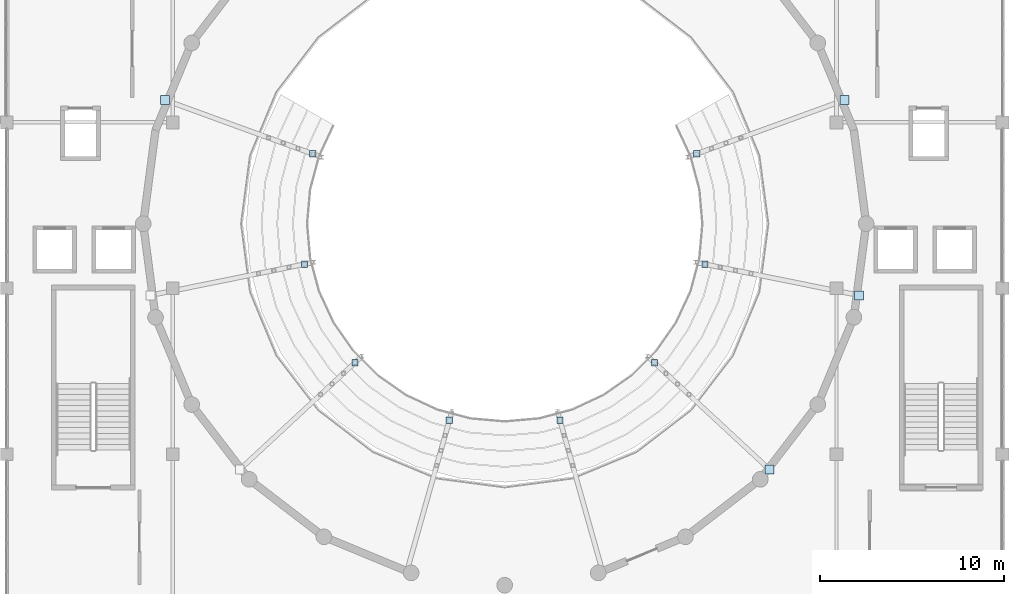
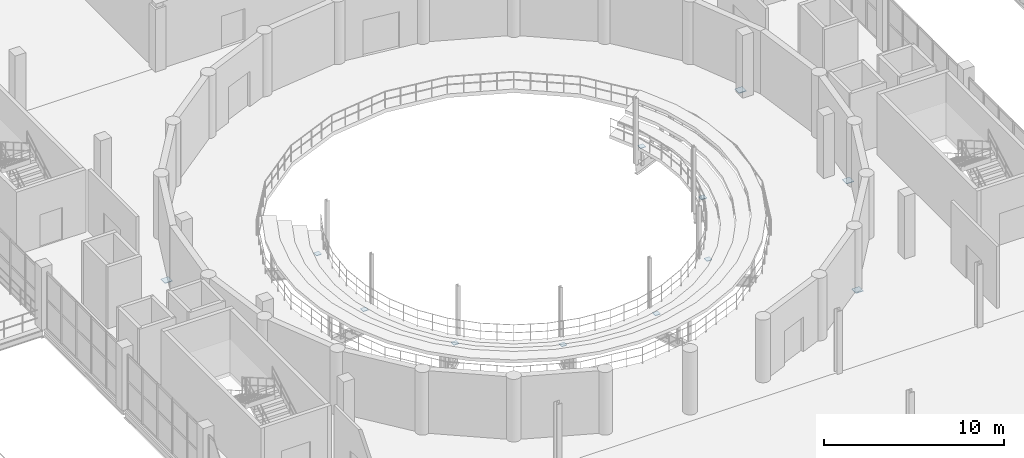
# One storey, part 53 of 73: 12 plates.
"""IFC4 building model written with IfcOpenShell, lengths in metres."""

from ifc_helpers import new_model, si_unit, direction, frame, origin, origin_2d, place, context, subcontext, project, spatial, rectangle, extrude, material, layer, layer_set, type_object, element, save


model = new_model("IFC4")

# Units and contexts
model_context = context("Model", 3, precision=1e-05, world=origin(), true_north=direction((0.0, 1.0)))
body_context = subcontext(model_context, "Body", "Model", "MODEL_VIEW")
ifc_project = project(units=[si_unit("LENGTHUNIT", "METRE"), si_unit("AREAUNIT", "SQUARE_METRE"), si_unit("VOLUMEUNIT", "CUBIC_METRE"), si_unit("PLANEANGLEUNIT", "RADIAN"), si_unit("MASSUNIT", "GRAM", prefix="KILO")], contexts=[model_context])

# Site, building, storey
site_placement = place(None, origin())
site = spatial("IfcSite", under=ifc_project, at=site_placement, CompositionType="ELEMENT")
building_placement = place(site_placement, origin())
building = spatial("IfcBuilding", under=site, at=building_placement, Name="Marnock Terrace Opera House", CompositionType="ELEMENT")
storey_placement = place(building_placement, frame((0.0, 0.0, 14.699951171875)))
storey = spatial("IfcBuildingStorey", under=building, at=storey_placement, Name="L03", CompositionType="ELEMENT", Elevation=14.699951171875)

# Plates
ifc_material = material(Name="Steel Grade 350 (AS/NZS 3679.1)", Category="steel")
ifc_layer_1 = layer(ifc_material, 0.031982421875)
ifc_layer_set_1 = layer_set([ifc_layer_1], Name="Steel Grade 350 (AS/NZS 3679.1)")
plate_type_1 = type_object("IfcPlateType", Name="PLT-SHOE-340x32", PredefinedType="SHEET", material=ifc_layer_set_1)
for number, where, z_axis, x_axis, name in (
    (1, (71.593017578125, 64.287841796875, 0.09814453125), (0.0, 0.0, 1.0), (1.0, 0.0, 0.0), "L03 Auditorium tier support post 1.1 head bearing plate"),
    (2, (71.14453125, 58.305419921875, 0.09814453125), (0.0, 0.0, 1.0), (1.0, 0.0, 0.0), "L03 Auditorium tier support post 2.1 head bearing plate"),
    (3, (73.881591796875, 52.967041015625, 0.09814453125), (0.0, 0.0, 1.0), (1.0, 0.0, 0.0), "L03 Auditorium tier support post 3.1 head bearing plate"),
    (4, (79.00048828125, 49.8388671875, 0.09814453125), (0.0, 0.0, 1.0), (1.0, 0.0, 0.0), "L03 Auditorium tier support post 4.1 head bearing plate"),
    (5, (84.99951171875, 49.8388671875, 0.09814453125), (0.0, 0.0, 1.0), (1.0, 0.0, 0.0), "L03 Auditorium tier support post 5.1 head bearing plate"),
    (6, (90.118408203125, 52.967041015625, 0.09814453125), (0.0, 0.0, 1.0), (1.0, 0.0, 0.0), "L03 Auditorium tier support post 6.1 head bearing plate"),
    (7, (92.85546875, 58.305419921875, 0.09814453125), (0.0, 0.0, 1.0), (1.0, 0.0, 0.0), "L03 Auditorium tier support post 7.1 head bearing plate"),
    (8, (92.406982421875, 64.287841796875, 0.09814453125), (0.0, 0.0, 1.0), (1.0, 0.0, 0.0), "L03 Auditorium tier support post 8.1 head bearing plate"),
):
    element("IfcPlate", number, at=place(storey_placement, frame(where, z_axis=z_axis, x_axis=x_axis)), inside=storey, type_object=plate_type_1, Name=name, PredefinedType="SHEET", context=body_context, shape_type="SweptSolid", body=[
        extrude(rectangle(XDim=0.340087890625, YDim=0.340087890625, at=origin_2d()), origin(), (0.0, 0.0, 1.0), 0.031982421875),
    ])
ifc_layer_2 = layer(ifc_material, 0.035888671875)
ifc_layer_set_2 = layer_set([ifc_layer_2], Name="Steel Grade 350 (AS/NZS 3679.1)")
plate_type_2 = type_object("IfcPlateType", Name="PLT-SHOE-480x36", PredefinedType="SHEET", material=ifc_layer_set_2)
for number, where, z_axis, x_axis, name in (
    (9, (63.58203125, 67.20361328125, -0.66796875), (0.0, 0.0, 1.0), (1.0, 0.0, 0.0), "L03 Auditorium raker girder 1 drum shear-wall cast-in embed plate"),
    (10, (96.367919921875, 47.168701171875, -0.66796875), (0.0, 0.0, 1.0), (1.0, 0.0, 0.0), "L03 Auditorium raker girder 6 drum shear-wall cast-in embed plate"),
    (11, (101.21142578125, 56.6162109375, -0.66796875), (0.0, 0.0, 1.0), (1.0, 0.0, 0.0), "L03 Auditorium raker girder 7 drum shear-wall cast-in embed plate"),
    (12, (100.41796875, 67.20361328125, -0.66796875), (0.0, 0.0, 1.0), (1.0, 0.0, 0.0), "L03 Auditorium raker girder 8 drum shear-wall cast-in embed plate"),
):
    element("IfcPlate", number, at=place(storey_placement, frame(where, z_axis=z_axis, x_axis=x_axis)), inside=storey, type_object=plate_type_2, Name=name, PredefinedType="SHEET", context=body_context, shape_type="SweptSolid", body=[
        extrude(rectangle(XDim=0.47998046875, YDim=0.47998046875, at=origin_2d()), origin(), (0.0, 0.0, 1.0), 0.035888671875),
    ])

save(model, "model.ifc")
